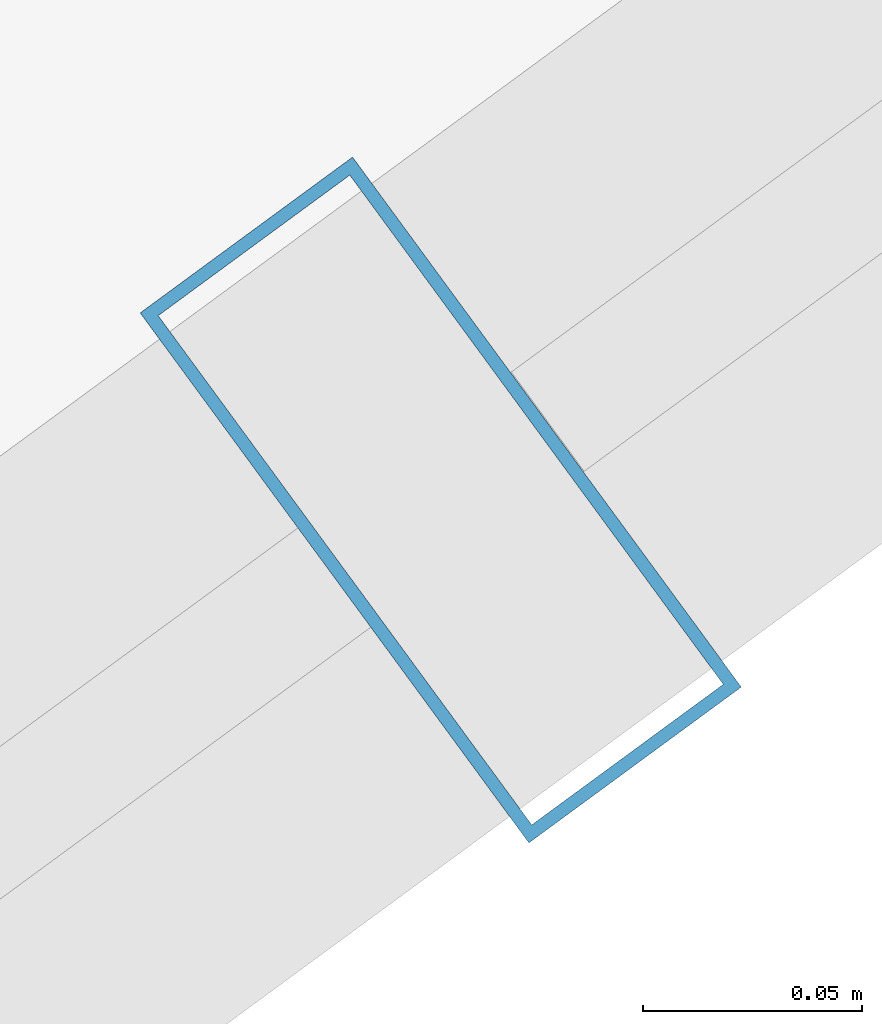
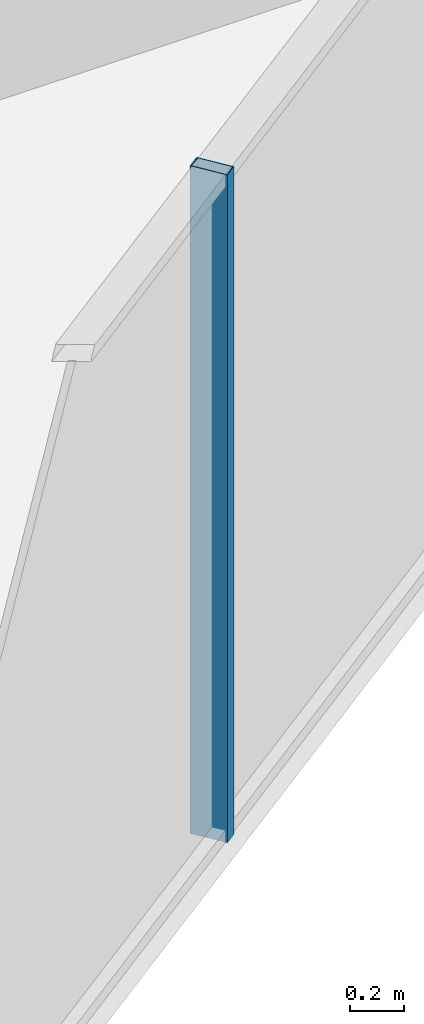
# One storey, part 8 of 32: 1 member, 1 element without a shape of its own.
"""IFC4 building model written with IfcOpenShell, lengths in metres."""

from ifc_helpers import new_model, si_unit, direction, frame, origin, origin_2d, place, context, subcontext, project, spatial, hollow_rectangle, extrude, source, transform, mapped, material, layer, layer_set, material_profile, profile_set, type_object, element, aggregate, save


model = new_model("IFC4")

# Units and contexts
model_context = context("Model", 3, precision=1e-05, world=origin(), true_north=direction((0.0, 1.0)))
body_context = subcontext(model_context, "Body", "Model", "MODEL_VIEW")
ifc_project = project(units=[si_unit("LENGTHUNIT", "METRE"), si_unit("AREAUNIT", "SQUARE_METRE"), si_unit("VOLUMEUNIT", "CUBIC_METRE"), si_unit("PLANEANGLEUNIT", "RADIAN"), si_unit("MASSUNIT", "GRAM", prefix="KILO")], contexts=[model_context])

# Site, building, storey
site_placement = place(None, origin())
site = spatial("IfcSite", under=ifc_project, at=site_placement, CompositionType="ELEMENT")
building_placement = place(site_placement, origin())
building = spatial("IfcBuilding", under=site, at=building_placement, Name="Veraguas Prism Commons", CompositionType="ELEMENT")
storey_placement = place(building_placement, frame((0.0, 0.0, 185.35009765625)))
storey = spatial("IfcBuildingStorey", under=building, at=storey_placement, Name="L52", CompositionType="ELEMENT", Elevation=185.35009765625)

# Curtain wall, member
ifc_material = material(Name="Anodised aluminium EN AW-6063 T6", Category="aluminium")
ifc_layer = layer(ifc_material, 0.14990234375, Name="Unitised Flush Curtain Wall Zone 3", Category="aluminium")
ifc_layer_set = layer_set([ifc_layer], Name="Anodised aluminium EN AW-6063 T6")
curtain_wall_type = type_object("IfcCurtainWallType", Name="Unitised Flush Curtain Wall Zone 3", PredefinedType="NOTDEFINED", material=ifc_layer_set)
curtain_wall_placement = place(storey_placement, origin())
curtain_wall = element("IfcCurtainWall", 1, at=curtain_wall_placement, inside=storey, type_object=curtain_wall_type, Name="Tower Facade Curtain Wall L52-F5", PredefinedType="NOTDEFINED")
ifc_material_profile = material_profile(ifc_material, hollow_rectangle(XDim=0.06005859375, YDim=0.14990234375, WallThickness=0.0029296875, at=origin_2d()), Name="AL60X150X3")
ifc_profile_set = profile_set([ifc_material_profile], Name="Anodised aluminium EN AW-6063 T6")
member_type = type_object("IfcMemberType", Name="Curtain Wall Mullion Upper AL 60x150x3", PredefinedType="MULLION", material=ifc_profile_set)
shared_shape = source(origin(), body_context, "Body", "SweptSolid", [
    extrude(hollow_rectangle(XDim=0.06005859375, YDim=0.14990234375, WallThickness=0.0029296875, at=origin_2d()), origin(), (0.0, 0.0, 1.0), 3.014892578125),
])
member_placement = place(storey_placement, frame((34.474609375, 9.719482421875, 0.0), z_axis=(0.0, 0.0, 1.0), x_axis=(0.806341388983, 0.591450390493, 0.0)))
member = element("IfcMember", 2, at=member_placement, type_object=member_type, Name="CW-Z3 Mullion 3", PredefinedType="MULLION", context=body_context, shape_type="MappedRepresentation", body=[
    mapped(shared_shape, transform((0.0, 0.0, 0.0), scale=1.0)),
])
aggregate(curtain_wall, [member])

save(model, "model.ifc")
